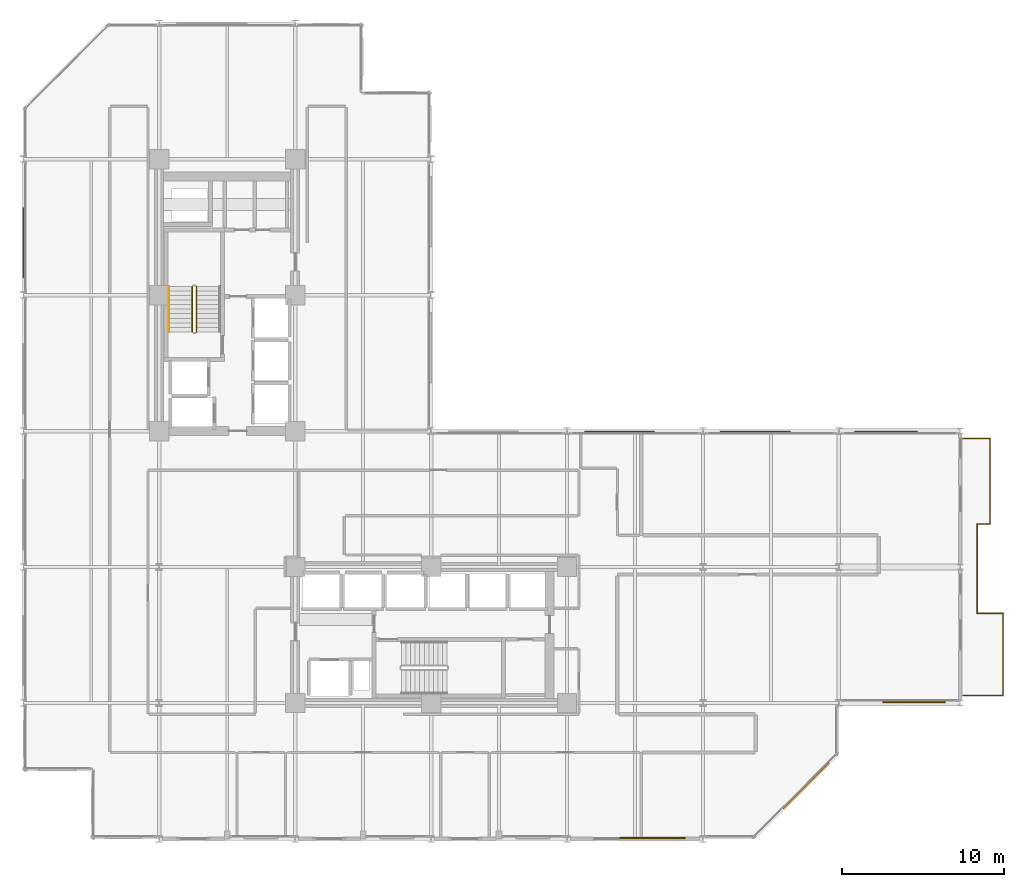
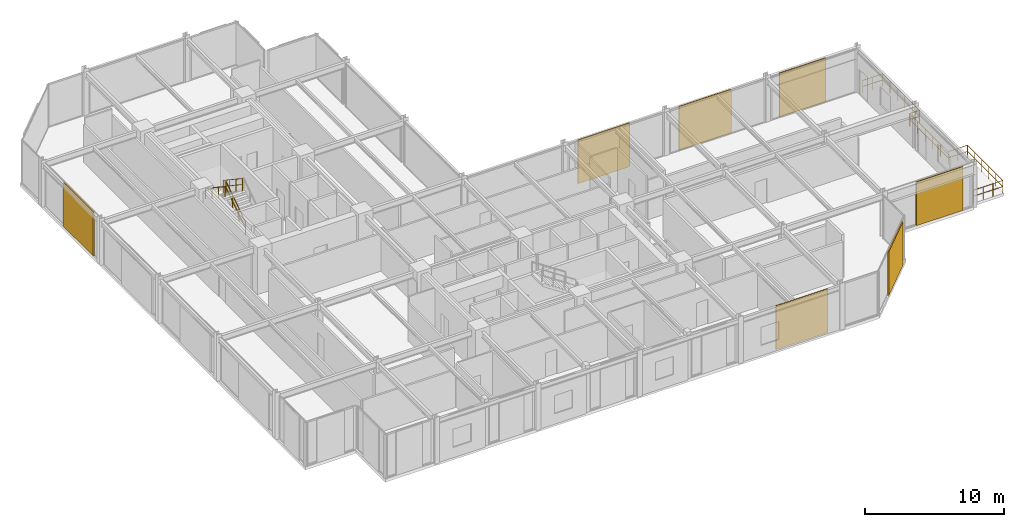
# One storey, part 37 of 38: 10 railings, 7 coverings.
"""IFC4 building model written with IfcOpenShell, lengths in metres."""

from ifc_helpers import new_model, si_unit, direction, frame, origin, origin_2d, place, context, subcontext, project, spatial, rectangle, circle, extrude, material, layer, layer_set, type_object, element, save


model = new_model("IFC4")

# Units and contexts
model_context = context("Model", 3, precision=1e-05, world=origin(), true_north=direction((0.0, 1.0)))
body_context = subcontext(model_context, "Body", "Model", "MODEL_VIEW")
ifc_project = project(units=[si_unit("LENGTHUNIT", "METRE"), si_unit("AREAUNIT", "SQUARE_METRE"), si_unit("VOLUMEUNIT", "CUBIC_METRE"), si_unit("PLANEANGLEUNIT", "RADIAN"), si_unit("MASSUNIT", "GRAM", prefix="KILO")], contexts=[model_context])

# Site, building, storey
site_placement = place(None, origin())
site = spatial("IfcSite", under=ifc_project, at=site_placement, CompositionType="ELEMENT")
building_placement = place(site_placement, origin())
building = spatial("IfcBuilding", under=site, at=building_placement, Name="Nerrivon Quay Data Exchange", CompositionType="ELEMENT")
storey_placement = place(building_placement, frame((0.0, 0.0, 88.5)))
storey = spatial("IfcBuildingStorey", under=building, at=storey_placement, Name="L20", CompositionType="ELEMENT", Elevation=88.5)

# Coverings
ifc_material_1 = material(Name="Architectural terracotta ceramic", Category="masonry")
ifc_layer = layer(ifc_material_1, 0.090087890625)
ifc_layer_set = layer_set([ifc_layer], Name="Architectural terracotta ceramic")
covering_type = type_object("IfcCoveringType", Name="COV-SCR-TERR", PredefinedType="CLADDING", material=ifc_layer_set)
covering_1_placement = place(storey_placement, frame((55.029541015625, 8.445068359375, 0.0), z_axis=(0.0, 0.0, 1.0), x_axis=(-1.0, 0.0, 0.0)))
element("IfcCovering", 1, at=covering_1_placement, inside=storey, type_object=covering_type, Name="L20 Perforated Terracotta SOLAR SCREEN Cassette", PredefinedType="CLADDING", context=body_context, shape_type="SweptSolid", body=[
    extrude(rectangle(XDim=3.85791015625, YDim=0.090087890625, at=origin_2d()), origin(), (0.0, 0.0, 1.0), 3.824951171875),
])
covering_2_placement = place(storey_placement, frame((48.39208984375, 3.255859375, 0.0), z_axis=(0.0, 0.0, 1.0), x_axis=(-0.707106781187, -0.707106781187, 0.0)))
element("IfcCovering", 2, at=covering_2_placement, inside=storey, type_object=covering_type, Name="L20 Perforated Terracotta SOLAR SCREEN Cassette", PredefinedType="CLADDING", context=body_context, shape_type="SweptSolid", body=[
    extrude(rectangle(XDim=3.970947265625, YDim=0.090087890625, at=origin_2d()), origin(), (0.0, 0.0, 1.0), 3.824951171875),
])
for number, where, z_axis, x_axis, name in (
    (3, (38.760009765625, 0.044921875, 0.0), (0.0, 0.0, 1.0), (-1.0, 0.0, 0.0), "L20 Perforated Terracotta SOLAR SCREEN Cassette"),
    (4, (0.044921875, 36.840087890625, 0.0), (0.0, 0.0, 1.0), (0.0, 1.0, 0.0), "L20 Perforated Terracotta SOLAR SCREEN Cassette"),
    (5, (36.840087890625, 25.155029296875, 0.0), (0.0, 0.0, 1.0), (1.0, 0.0, 0.0), "L20 Perforated Terracotta SOLAR SCREEN Cassette"),
    (6, (45.239990234375, 25.155029296875, 0.0), (0.0, 0.0, 1.0), (1.0, 0.0, 0.0), "L20 Perforated Terracotta SOLAR SCREEN Cassette"),
):
    element("IfcCovering", number, at=place(storey_placement, frame(where, z_axis=z_axis, x_axis=x_axis)), inside=storey, type_object=covering_type, Name=name, PredefinedType="CLADDING", context=body_context, shape_type="SweptSolid", body=[
        extrude(rectangle(XDim=4.320068359375, YDim=0.090087890625, at=origin_2d()), origin(), (0.0, 0.0, 1.0), 3.824951171875),
    ])
covering_3_placement = place(storey_placement, frame((53.31494140625, 25.155029296875, 0.0), z_axis=(0.0, 0.0, 1.0), x_axis=(1.0, 0.0, 0.0)))
element("IfcCovering", 7, at=covering_3_placement, inside=storey, type_object=covering_type, Name="L20 Perforated Terracotta SOLAR SCREEN Cassette", PredefinedType="CLADDING", context=body_context, shape_type="SweptSolid", body=[
    extrude(rectangle(XDim=3.85791015625, YDim=0.090087890625, at=origin_2d()), origin(), (0.0, 0.0, 1.0), 3.824951171875),
])

# Railings
ifc_material_2 = material(Name="Steel Grade C350L0 (350 MPa)", Category="steel")
railing_type_1 = type_object("IfcRailingType", Name="RAIL-GUARD-GR2", PredefinedType="BALUSTRADE", material=ifc_material_2)
railing_1_placement = place(storey_placement, frame((58.93994140625, 13.93994140625, 0.0)))
element("IfcRailing", 8, at=railing_1_placement, inside=storey, type_object=railing_type_1, Name="L20 Verandah Balcony Guard 1.1 1", PredefinedType="BALUSTRADE", context=body_context, shape_type="SweptSolid", body=[
    extrude(circle(Radius=0.02392578125, at=origin_2d()), frame((0.0, 0.0, 1.09619140625), z_axis=(1.0, 0.0, 0.0), x_axis=(0.0, 1.0, 0.0)), (0.0, 0.0, 1.0), 1.60009765625),
    extrude(circle(Radius=0.02392578125, at=origin_2d()), frame((0.0, 0.0, 0.56005859375), z_axis=(1.0, 0.0, 0.0), x_axis=(0.0, 1.0, 0.0)), (0.0, 0.0, 1.0), 1.60009765625),
    extrude(circle(Radius=0.02099609375, at=origin_2d()), origin(), (0.0, 0.0, 1.0), 1.072021484375),
    extrude(circle(Radius=0.02099609375, at=origin_2d()), frame((0.800048828125, 0.0, 0.0)), (0.0, 0.0, 1.0), 1.072021484375),
    extrude(circle(Radius=0.02099609375, at=origin_2d()), frame((1.60009765625, 0.0, 0.0)), (0.0, 0.0, 1.0), 1.072021484375),
])
railing_2_placement = place(storey_placement, frame((60.5400390625, 13.93994140625, 0.0)))
element("IfcRailing", 9, at=railing_2_placement, inside=storey, type_object=railing_type_1, Name="L20 Verandah Balcony Guard 1.2 1", PredefinedType="BALUSTRADE", context=body_context, shape_type="SweptSolid", body=[
    extrude(circle(Radius=0.02392578125, at=origin_2d()), frame((0.0, 0.0, 1.09619140625), z_axis=(0.0, -1.0, 0.0), x_axis=(1.0, 0.0, 0.0)), (0.0, 0.0, 1.0), 5.079833984375),
    extrude(circle(Radius=0.02392578125, at=origin_2d()), frame((0.0, 0.0, 0.56005859375), z_axis=(0.0, -1.0, 0.0), x_axis=(1.0, 0.0, 0.0)), (0.0, 0.0, 1.0), 5.079833984375),
    extrude(circle(Radius=0.02099609375, at=origin_2d()), origin(), (0.0, 0.0, 1.0), 1.072021484375),
    extrude(circle(Radius=0.02099609375, at=origin_2d()), frame((0.0, -1.015869140625, 0.0)), (0.0, 0.0, 1.0), 1.072021484375),
    extrude(circle(Radius=0.02099609375, at=origin_2d()), frame((0.0, -2.031982421875, 0.0)), (0.0, 0.0, 1.0), 1.072021484375),
    extrude(circle(Radius=0.02099609375, at=origin_2d()), frame((0.0, -3.0478515625, 0.0)), (0.0, 0.0, 1.0), 1.072021484375),
    extrude(circle(Radius=0.02099609375, at=origin_2d()), frame((0.0, -4.06396484375, 0.0)), (0.0, 0.0, 1.0), 1.072021484375),
    extrude(circle(Radius=0.02099609375, at=origin_2d()), frame((0.0, -5.079833984375, 0.0)), (0.0, 0.0, 1.0), 1.072021484375),
])
railing_3_placement = place(storey_placement, frame((60.5400390625, 8.860107421875, 0.0)))
element("IfcRailing", 10, at=railing_3_placement, inside=storey, type_object=railing_type_1, Name="L20 Verandah Balcony Guard 1.3 1", PredefinedType="BALUSTRADE", context=body_context, shape_type="SweptSolid", body=[
    extrude(circle(Radius=0.02392578125, at=origin_2d()), frame((0.0, 0.0, 1.09619140625), z_axis=(-1.0, 0.0, 0.0), x_axis=(0.0, -1.0, 0.0)), (0.0, 0.0, 1.0), 2.4599609375),
    extrude(circle(Radius=0.02392578125, at=origin_2d()), frame((0.0, 0.0, 0.56005859375), z_axis=(-1.0, 0.0, 0.0), x_axis=(0.0, -1.0, 0.0)), (0.0, 0.0, 1.0), 2.4599609375),
    extrude(circle(Radius=0.02099609375, at=origin_2d()), origin(), (0.0, 0.0, 1.0), 1.072021484375),
    extrude(circle(Radius=0.02099609375, at=origin_2d()), frame((-0.820068359375, 0.0, 0.0)), (0.0, 0.0, 1.0), 1.072021484375),
    extrude(circle(Radius=0.02099609375, at=origin_2d()), frame((-1.639892578125, 0.0, 0.0)), (0.0, 0.0, 1.0), 1.072021484375),
    extrude(circle(Radius=0.02099609375, at=origin_2d()), frame((-2.4599609375, 0.0, 0.0)), (0.0, 0.0, 1.0), 1.072021484375),
])
railing_4_placement = place(storey_placement, frame((58.080078125, 24.739990234375, 0.0)))
element("IfcRailing", 11, at=railing_4_placement, inside=storey, type_object=railing_type_1, Name="L20 Verandah Balcony Guard 1.4 1", PredefinedType="BALUSTRADE", context=body_context, shape_type="SweptSolid", body=[
    extrude(circle(Radius=0.02392578125, at=origin_2d()), frame((0.0, 0.0, 1.09619140625), z_axis=(1.0, 0.0, 0.0), x_axis=(0.0, 1.0, 0.0)), (0.0, 0.0, 1.0), 1.659912109375),
    extrude(circle(Radius=0.02392578125, at=origin_2d()), frame((0.0, 0.0, 0.56005859375), z_axis=(1.0, 0.0, 0.0), x_axis=(0.0, 1.0, 0.0)), (0.0, 0.0, 1.0), 1.659912109375),
    extrude(circle(Radius=0.02099609375, at=origin_2d()), origin(), (0.0, 0.0, 1.0), 1.072021484375),
    extrude(circle(Radius=0.02099609375, at=origin_2d()), frame((0.830078125, 0.0, 0.0)), (0.0, 0.0, 1.0), 1.072021484375),
    extrude(circle(Radius=0.02099609375, at=origin_2d()), frame((1.659912109375, 0.0, 0.0)), (0.0, 0.0, 1.0), 1.072021484375),
])
railing_5_placement = place(storey_placement, frame((59.739990234375, 24.739990234375, 0.0)))
element("IfcRailing", 12, at=railing_5_placement, inside=storey, type_object=railing_type_1, Name="L20 Verandah Balcony Guard 1.5 1", PredefinedType="BALUSTRADE", context=body_context, shape_type="SweptSolid", body=[
    extrude(circle(Radius=0.02392578125, at=origin_2d()), frame((0.0, 0.0, 1.09619140625), z_axis=(0.0, -1.0, 0.0), x_axis=(1.0, 0.0, 0.0)), (0.0, 0.0, 1.0), 5.280029296875),
    extrude(circle(Radius=0.02392578125, at=origin_2d()), frame((0.0, 0.0, 0.56005859375), z_axis=(0.0, -1.0, 0.0), x_axis=(1.0, 0.0, 0.0)), (0.0, 0.0, 1.0), 5.280029296875),
    extrude(circle(Radius=0.02099609375, at=origin_2d()), origin(), (0.0, 0.0, 1.0), 1.072021484375),
    extrude(circle(Radius=0.02099609375, at=origin_2d()), frame((0.0, -1.055908203125, 0.0)), (0.0, 0.0, 1.0), 1.072021484375),
    extrude(circle(Radius=0.02099609375, at=origin_2d()), frame((0.0, -2.112060546875, 0.0)), (0.0, 0.0, 1.0), 1.072021484375),
    extrude(circle(Radius=0.02099609375, at=origin_2d()), frame((0.0, -3.16796875, 0.0)), (0.0, 0.0, 1.0), 1.072021484375),
    extrude(circle(Radius=0.02099609375, at=origin_2d()), frame((0.0, -4.22412109375, 0.0)), (0.0, 0.0, 1.0), 1.072021484375),
    extrude(circle(Radius=0.02099609375, at=origin_2d()), frame((0.0, -5.280029296875, 0.0)), (0.0, 0.0, 1.0), 1.072021484375),
])
railing_6_placement = place(storey_placement, frame((59.739990234375, 19.4599609375, 0.0)))
element("IfcRailing", 13, at=railing_6_placement, inside=storey, type_object=railing_type_1, Name="L20 Verandah Balcony Guard 1.6 1", PredefinedType="BALUSTRADE", context=body_context, shape_type="SweptSolid", body=[
    extrude(circle(Radius=0.02392578125, at=origin_2d()), frame((0.0, 0.0, 1.09619140625), z_axis=(-1.0, 0.0, 0.0), x_axis=(0.0, -1.0, 0.0)), (0.0, 0.0, 1.0), 0.800048828125),
    extrude(circle(Radius=0.02392578125, at=origin_2d()), frame((0.0, 0.0, 0.56005859375), z_axis=(-1.0, 0.0, 0.0), x_axis=(0.0, -1.0, 0.0)), (0.0, 0.0, 1.0), 0.800048828125),
    extrude(circle(Radius=0.02099609375, at=origin_2d()), origin(), (0.0, 0.0, 1.0), 1.072021484375),
    extrude(circle(Radius=0.02099609375, at=origin_2d()), frame((-0.800048828125, 0.0, 0.0)), (0.0, 0.0, 1.0), 1.072021484375),
])
railing_7_placement = place(storey_placement, frame((58.93994140625, 19.4599609375, 0.0)))
element("IfcRailing", 14, at=railing_7_placement, inside=storey, type_object=railing_type_1, Name="L20 Verandah Balcony Guard 1.7 1", PredefinedType="BALUSTRADE", context=body_context, shape_type="SweptSolid", body=[
    extrude(circle(Radius=0.02392578125, at=origin_2d()), frame((0.0, 0.0, 1.09619140625), z_axis=(0.0, -1.0, 0.0), x_axis=(1.0, 0.0, 0.0)), (0.0, 0.0, 1.0), 5.52001953125),
    extrude(circle(Radius=0.02392578125, at=origin_2d()), frame((0.0, 0.0, 0.56005859375), z_axis=(0.0, -1.0, 0.0), x_axis=(1.0, 0.0, 0.0)), (0.0, 0.0, 1.0), 5.52001953125),
    extrude(circle(Radius=0.02099609375, at=origin_2d()), origin(), (0.0, 0.0, 1.0), 1.072021484375),
    extrude(circle(Radius=0.02099609375, at=origin_2d()), frame((0.0, -1.10400390625, 0.0)), (0.0, 0.0, 1.0), 1.072021484375),
    extrude(circle(Radius=0.02099609375, at=origin_2d()), frame((0.0, -2.2080078125, 0.0)), (0.0, 0.0, 1.0), 1.072021484375),
    extrude(circle(Radius=0.02099609375, at=origin_2d()), frame((0.0, -3.31201171875, 0.0)), (0.0, 0.0, 1.0), 1.072021484375),
    extrude(circle(Radius=0.02099609375, at=origin_2d()), frame((0.0, -4.416015625, 0.0)), (0.0, 0.0, 1.0), 1.072021484375),
    extrude(circle(Radius=0.02099609375, at=origin_2d()), frame((0.0, -5.52001953125, 0.0)), (0.0, 0.0, 1.0), 1.072021484375),
])
railing_type_2 = type_object("IfcRailingType", Name="RAIL-HAND-HR1", PredefinedType="HANDRAIL", material=ifc_material_2)
railing_8_placement = place(storey_placement, frame((9.0, 34.1298828125, 2.236328125)))
element("IfcRailing", 15, at=railing_8_placement, inside=storey, type_object=railing_type_2, Name="L20 ST01 stair handrail 2", PredefinedType="HANDRAIL", context=body_context, shape_type="SweptSolid", body=[
    extrude(circle(Radius=0.02392578125, at=origin_2d()), frame((0.0, 0.0, 0.8759765625), z_axis=(0.0, -0.832429786209, 0.554130536094), x_axis=(1.0, 0.0, 0.0)), (0.0, 0.0, 1.0), 3.363525390625),
    extrude(circle(Radius=0.02099609375, at=origin_2d()), origin(), (0.0, 0.0, 1.0), 0.851806640625),
    extrude(circle(Radius=0.02099609375, at=origin_2d()), frame((0.0, -0.933349609375, 0.621337890625)), (0.0, 0.0, 1.0), 0.851806640625),
    extrude(circle(Radius=0.02099609375, at=origin_2d()), frame((0.0, -1.866455078125, 1.242431640625)), (0.0, 0.0, 1.0), 0.851806640625),
    extrude(circle(Radius=0.02099609375, at=origin_2d()), frame((0.0, -2.7998046875, 1.86376953125)), (0.0, 0.0, 1.0), 0.851806640625),
])
railing_type_3 = type_object("IfcRailingType", Name="RAIL-STAIR-GR1", PredefinedType="BALUSTRADE", material=ifc_material_2)
railing_9_placement = place(storey_placement, frame((10.699951171875, 31.330078125, 0.186279296875)))
element("IfcRailing", 16, at=railing_9_placement, inside=storey, type_object=railing_type_3, Name="L20 ST01 stair guard 1", PredefinedType="BALUSTRADE", context=body_context, shape_type="SweptSolid", body=[
    extrude(circle(Radius=0.02392578125, at=origin_2d()), frame((0.0, 0.0, 1.076171875), z_axis=(0.0, 0.832429786209, 0.554130536094), x_axis=(-1.0, 0.0, 0.0)), (0.0, 0.0, 1.0), 3.363525390625),
    extrude(circle(Radius=0.02392578125, at=origin_2d()), frame((0.0, 0.0, 0.550048828125), z_axis=(0.0, 0.832429786209, 0.554130536094), x_axis=(-1.0, 0.0, 0.0)), (0.0, 0.0, 1.0), 3.363525390625),
    extrude(circle(Radius=0.02099609375, at=origin_2d()), origin(), (0.0, 0.0, 1.0), 1.052001953125),
    extrude(circle(Radius=0.02099609375, at=origin_2d()), frame((0.0, 0.933349609375, 0.621337890625)), (0.0, 0.0, 1.0), 1.052001953125),
    extrude(circle(Radius=0.02099609375, at=origin_2d()), frame((0.0, 1.866455078125, 1.242431640625)), (0.0, 0.0, 1.0), 1.052001953125),
    extrude(circle(Radius=0.02099609375, at=origin_2d()), frame((0.0, 2.7998046875, 1.86376953125)), (0.0, 0.0, 1.0), 1.052001953125),
])
railing_10_placement = place(storey_placement, frame((10.449951171875, 34.1298828125, 2.236328125)))
element("IfcRailing", 17, at=railing_10_placement, inside=storey, type_object=railing_type_3, Name="L20 ST01 stair guard 3", PredefinedType="BALUSTRADE", context=body_context, shape_type="SweptSolid", body=[
    extrude(circle(Radius=0.02392578125, at=origin_2d()), frame((0.0, 0.0, 1.076171875), z_axis=(0.0, -0.832429786209, 0.554130536094), x_axis=(1.0, 0.0, 0.0)), (0.0, 0.0, 1.0), 3.363525390625),
    extrude(circle(Radius=0.02392578125, at=origin_2d()), frame((0.0, 0.0, 0.550048828125), z_axis=(0.0, -0.832429786209, 0.554130536094), x_axis=(1.0, 0.0, 0.0)), (0.0, 0.0, 1.0), 3.363525390625),
    extrude(circle(Radius=0.02099609375, at=origin_2d()), origin(), (0.0, 0.0, 1.0), 1.052001953125),
    extrude(circle(Radius=0.02099609375, at=origin_2d()), frame((0.0, -0.933349609375, 0.621337890625)), (0.0, 0.0, 1.0), 1.052001953125),
    extrude(circle(Radius=0.02099609375, at=origin_2d()), frame((0.0, -1.866455078125, 1.242431640625)), (0.0, 0.0, 1.0), 1.052001953125),
    extrude(circle(Radius=0.02099609375, at=origin_2d()), frame((0.0, -2.7998046875, 1.86376953125)), (0.0, 0.0, 1.0), 1.052001953125),
])

save(model, "model.ifc")
